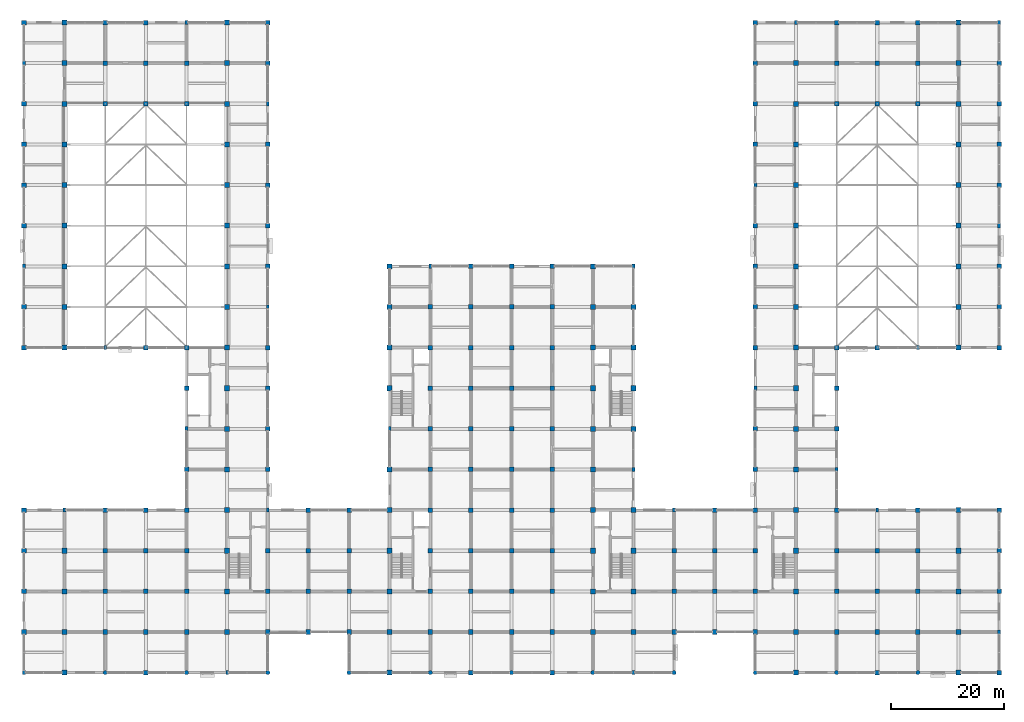
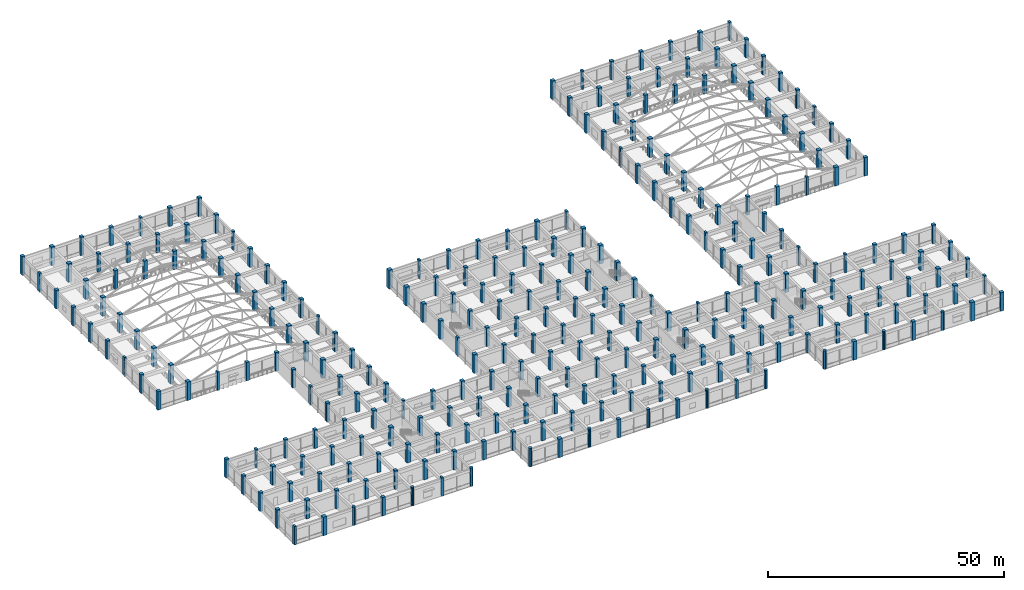
# One storey, part 1 of 75: 279 columns.
"""IFC4 building model written with IfcOpenShell, lengths in metres."""

from ifc_helpers import new_model, si_unit, direction, frame, origin, origin_2d, place, context, subcontext, project, spatial, rectangle, circle, extrude, material, material_profile, profile_set, type_object, element, save


model = new_model("IFC4")

# Units and contexts
model_context = context("Model", 3, precision=1e-05, world=origin(), true_north=direction((0.0, 1.0)))
body_context = subcontext(model_context, "Body", "Model", "MODEL_VIEW")
ifc_project = project(units=[si_unit("LENGTHUNIT", "METRE"), si_unit("AREAUNIT", "SQUARE_METRE"), si_unit("VOLUMEUNIT", "CUBIC_METRE"), si_unit("PLANEANGLEUNIT", "RADIAN"), si_unit("MASSUNIT", "GRAM", prefix="KILO")], contexts=[model_context])

# Site, building, storey
site_placement = place(None, origin())
site = spatial("IfcSite", under=ifc_project, at=site_placement, CompositionType="ELEMENT")
building_placement = place(site_placement, origin())
building = spatial("IfcBuilding", under=site, at=building_placement, Name="Cendaluz Park School", CompositionType="ELEMENT")
storey_placement = place(building_placement, frame((0.0, 0.0, 4.800048828125)))
storey = spatial("IfcBuildingStorey", under=building, at=storey_placement, Name="L01", CompositionType="ELEMENT", Elevation=4.800048828125)

# Columns
ifc_material = material(Name="Concrete C40/50", Category="concrete")
ifc_material_profile_1 = material_profile(ifc_material, rectangle(XDim=0.5, YDim=0.75, at=origin_2d()), Name="RC 500x750", Category="concrete")
ifc_profile_set_1 = profile_set([ifc_material_profile_1], Name="Concrete C40/50")
column_type_1 = type_object("IfcColumnType", Name="C-PL01", PredefinedType="PILASTER", material=ifc_profile_set_1)
for number, where, z_axis, x_axis, name in (
    (1, (0.0, 0.0, 0.0), (0.0, 0.0, 1.0), (1.0, 0.0, 0.0), "C-L01-CPL01-001"),
    (2, (0.0, 72.0, 0.0), (0.0, 0.0, 1.0), (1.0, 0.0, 0.0), "C-L01-CPL01-008"),
    (3, (0.0, 108.0, 0.0), (0.0, 0.0, 1.0), (1.0, 0.0, 0.0), "C-L01-CPL01-013"),
    (4, (7.199951171875, 28.800048828125, 0.0), (0.0, 0.0, 1.0), (1.0, 0.0, 0.0), "C-L01-CPL01-019"),
    (5, (14.39990234375, 57.60009765625, 0.0), (0.0, 0.0, 1.0), (1.0, 0.0, 0.0), "C-L01-CPL01-034"),
    (6, (28.800048828125, 43.199951171875, 0.0), (0.0, 0.0, 1.0), (1.0, 0.0, 0.0), "C-L01-CPL01-053"),
    (7, (28.800048828125, 115.199951171875, 0.0), (0.0, 0.0, 1.0), (1.0, 0.0, 0.0), "C-L01-CPL01-058"),
    (8, (36.0, 0.0, 0.0), (0.0, 0.0, 1.0), (1.0, 0.0, 0.0), "C-L01-CPL01-059"),
    (9, (43.199951171875, 28.800048828125, 0.0), (0.0, 0.0, 1.0), (1.0, 0.0, 0.0), "C-L01-CPL01-080"),
    (10, (43.199951171875, 64.800048828125, 0.0), (0.0, 0.0, 1.0), (1.0, 0.0, 0.0), "C-L01-CPL01-085"),
    (11, (43.199951171875, 100.800048828125, 0.0), (0.0, 0.0, 1.0), (1.0, 0.0, 0.0), "C-L01-CPL01-090"),
    (12, (64.800048828125, 43.199951171875, 0.0), (0.0, 0.0, 1.0), (1.0, 0.0, 0.0), "C-L01-CPL01-108"),
    (13, (72.0, 72.0, 0.0), (0.0, 0.0, 1.0), (1.0, 0.0, 0.0), "C-L01-CPL01-123"),
    (14, (108.0, 0.0, 0.0), (0.0, 0.0, 1.0), (1.0, 0.0, 0.0), "C-L01-CPL01-168"),
    (15, (108.0, 36.0, 0.0), (0.0, 0.0, 1.0), (1.0, 0.0, 0.0), "C-L01-CPL01-173"),
    (16, (108.0, 72.0, 0.0), (0.0, 0.0, 1.0), (1.0, 0.0, 0.0), "C-L01-CPL01-178"),
    (17, (115.199951171875, 28.800048828125, 0.0), (0.0, 0.0, 1.0), (1.0, 0.0, 0.0), "C-L01-CPL01-183"),
    (18, (129.60009765625, 50.39990234375, 0.0), (0.0, 0.0, 1.0), (1.0, 0.0, 0.0), "C-L01-CPL01-195"),
    (19, (129.60009765625, 86.39990234375, 0.0), (0.0, 0.0, 1.0), (1.0, 0.0, 0.0), "C-L01-CPL01-200"),
    (20, (136.800048828125, 115.199951171875, 0.0), (0.0, 0.0, 1.0), (1.0, 0.0, 0.0), "C-L01-CPL01-221"),
    (21, (144.0, 36.0, 0.0), (0.0, 0.0, 1.0), (1.0, 0.0, 0.0), "C-L01-CPL01-227"),
    (22, (151.199951171875, 28.800048828125, 0.0), (0.0, 0.0, 1.0), (1.0, 0.0, 0.0), "C-L01-CPL01-238"),
    (23, (158.39990234375, 57.60009765625, 0.0), (0.0, 0.0, 1.0), (1.0, 0.0, 0.0), "C-L01-CPL01-248"),
    (24, (172.800048828125, 7.199951171875, 0.0), (0.0, 0.0, 1.0), (1.0, 0.0, 0.0), "C-L01-CPL01-267"),
    (25, (172.800048828125, 79.199951171875, 0.0), (0.0, 0.0, 1.0), (1.0, 0.0, 0.0), "C-L01-CPL01-274"),
    (26, (172.800048828125, 115.199951171875, 0.0), (0.0, 0.0, 1.0), (1.0, 0.0, 0.0), "C-L01-CPL01-279"),
):
    element("IfcColumn", number, at=place(storey_placement, frame(where, z_axis=z_axis, x_axis=x_axis)), inside=storey, type_object=column_type_1, Name=name, PredefinedType="PILASTER", context=body_context, shape_type="SweptSolid", body=[
        extrude(rectangle(XDim=0.5, YDim=0.75, at=origin_2d()), origin(), (0.0, 0.0, 1.0), 4.800048828125),
    ])
ifc_material_profile_2 = material_profile(ifc_material, rectangle(XDim=0.89990234375, YDim=0.89990234375, at=origin_2d()), Name="RC 900x900", Category="concrete")
ifc_profile_set_2 = profile_set([ifc_material_profile_2], Name="Concrete C40/50")
column_type_2 = type_object("IfcColumnType", Name="C-RC01", PredefinedType="COLUMN", material=ifc_profile_set_2)
for number, where, z_axis, x_axis, name in (
    (27, (7.199951171875, 0.0, 0.0), (0.0, 0.0, 1.0), (1.0, 0.0, 0.0), "C-L01-CRC01-015"),
    (28, (7.199951171875, 7.199951171875, 0.0), (0.0, 0.0, 1.0), (1.0, 0.0, 0.0), "C-L01-CRC01-016"),
    (29, (7.199951171875, 14.39990234375, 0.0), (0.0, 0.0, 1.0), (1.0, 0.0, 0.0), "C-L01-CRC01-017"),
    (30, (7.199951171875, 21.60009765625, 0.0), (0.0, 0.0, 1.0), (1.0, 0.0, 0.0), "C-L01-CRC01-018"),
    (31, (7.199951171875, 57.60009765625, 0.0), (0.0, 0.0, 1.0), (1.0, 0.0, 0.0), "C-L01-CRC01-020"),
    (32, (7.199951171875, 64.800048828125, 0.0), (0.0, 0.0, 1.0), (1.0, 0.0, 0.0), "C-L01-CRC01-021"),
    (33, (7.199951171875, 72.0, 0.0), (0.0, 0.0, 1.0), (1.0, 0.0, 0.0), "C-L01-CRC01-022"),
    (34, (7.199951171875, 79.199951171875, 0.0), (0.0, 0.0, 1.0), (1.0, 0.0, 0.0), "C-L01-CRC01-023"),
    (35, (7.199951171875, 86.39990234375, 0.0), (0.0, 0.0, 1.0), (1.0, 0.0, 0.0), "C-L01-CRC01-024"),
    (36, (7.199951171875, 93.60009765625, 0.0), (0.0, 0.0, 1.0), (1.0, 0.0, 0.0), "C-L01-CRC01-025"),
    (37, (7.199951171875, 100.800048828125, 0.0), (0.0, 0.0, 1.0), (1.0, 0.0, 0.0), "C-L01-CRC01-026"),
    (38, (7.199951171875, 108.0, 0.0), (0.0, 0.0, 1.0), (1.0, 0.0, 0.0), "C-L01-CRC01-027"),
    (39, (7.199951171875, 115.199951171875, 0.0), (0.0, 0.0, 1.0), (1.0, 0.0, 0.0), "C-L01-CRC01-028"),
    (40, (36.0, 7.199951171875, 0.0), (0.0, 0.0, 1.0), (1.0, 0.0, 0.0), "C-L01-CRC01-060"),
    (41, (36.0, 14.39990234375, 0.0), (0.0, 0.0, 1.0), (1.0, 0.0, 0.0), "C-L01-CRC01-061"),
    (42, (36.0, 21.60009765625, 0.0), (0.0, 0.0, 1.0), (1.0, 0.0, 0.0), "C-L01-CRC01-062"),
    (43, (36.0, 28.800048828125, 0.0), (0.0, 0.0, 1.0), (1.0, 0.0, 0.0), "C-L01-CRC01-063"),
    (44, (36.0, 36.0, 0.0), (0.0, 0.0, 1.0), (1.0, 0.0, 0.0), "C-L01-CRC01-064"),
    (45, (36.0, 43.199951171875, 0.0), (0.0, 0.0, 1.0), (1.0, 0.0, 0.0), "C-L01-CRC01-065"),
    (46, (36.0, 50.39990234375, 0.0), (0.0, 0.0, 1.0), (1.0, 0.0, 0.0), "C-L01-CRC01-066"),
    (47, (36.0, 57.60009765625, 0.0), (0.0, 0.0, 1.0), (1.0, 0.0, 0.0), "C-L01-CRC01-067"),
    (48, (36.0, 64.800048828125, 0.0), (0.0, 0.0, 1.0), (1.0, 0.0, 0.0), "C-L01-CRC01-068"),
    (49, (36.0, 72.0, 0.0), (0.0, 0.0, 1.0), (1.0, 0.0, 0.0), "C-L01-CRC01-069"),
    (50, (36.0, 79.199951171875, 0.0), (0.0, 0.0, 1.0), (1.0, 0.0, 0.0), "C-L01-CRC01-070"),
    (51, (36.0, 86.39990234375, 0.0), (0.0, 0.0, 1.0), (1.0, 0.0, 0.0), "C-L01-CRC01-071"),
    (52, (36.0, 93.60009765625, 0.0), (0.0, 0.0, 1.0), (1.0, 0.0, 0.0), "C-L01-CRC01-072"),
    (53, (36.0, 100.800048828125, 0.0), (0.0, 0.0, 1.0), (1.0, 0.0, 0.0), "C-L01-CRC01-073"),
    (54, (36.0, 108.0, 0.0), (0.0, 0.0, 1.0), (1.0, 0.0, 0.0), "C-L01-CRC01-074"),
    (55, (36.0, 115.199951171875, 0.0), (0.0, 0.0, 1.0), (1.0, 0.0, 0.0), "C-L01-CRC01-075"),
    (56, (64.800048828125, 0.0, 0.0), (0.0, 0.0, 1.0), (1.0, 0.0, 0.0), "C-L01-CRC01-102"),
    (57, (64.800048828125, 7.199951171875, 0.0), (0.0, 0.0, 1.0), (1.0, 0.0, 0.0), "C-L01-CRC01-103"),
    (58, (64.800048828125, 14.39990234375, 0.0), (0.0, 0.0, 1.0), (1.0, 0.0, 0.0), "C-L01-CRC01-104"),
    (59, (64.800048828125, 21.60009765625, 0.0), (0.0, 0.0, 1.0), (1.0, 0.0, 0.0), "C-L01-CRC01-105"),
    (60, (64.800048828125, 28.800048828125, 0.0), (0.0, 0.0, 1.0), (1.0, 0.0, 0.0), "C-L01-CRC01-106"),
    (61, (64.800048828125, 36.0, 0.0), (0.0, 0.0, 1.0), (1.0, 0.0, 0.0), "C-L01-CRC01-107"),
    (62, (64.800048828125, 50.39990234375, 0.0), (0.0, 0.0, 1.0), (1.0, 0.0, 0.0), "C-L01-CRC01-109"),
    (63, (64.800048828125, 57.60009765625, 0.0), (0.0, 0.0, 1.0), (1.0, 0.0, 0.0), "C-L01-CRC01-110"),
    (64, (64.800048828125, 64.800048828125, 0.0), (0.0, 0.0, 1.0), (1.0, 0.0, 0.0), "C-L01-CRC01-111"),
    (65, (64.800048828125, 72.0, 0.0), (0.0, 0.0, 1.0), (1.0, 0.0, 0.0), "C-L01-CRC01-112"),
    (66, (100.800048828125, 7.199951171875, 0.0), (0.0, 0.0, 1.0), (1.0, 0.0, 0.0), "C-L01-CRC01-158"),
    (67, (100.800048828125, 14.39990234375, 0.0), (0.0, 0.0, 1.0), (1.0, 0.0, 0.0), "C-L01-CRC01-159"),
    (68, (100.800048828125, 21.60009765625, 0.0), (0.0, 0.0, 1.0), (1.0, 0.0, 0.0), "C-L01-CRC01-160"),
    (69, (100.800048828125, 28.800048828125, 0.0), (0.0, 0.0, 1.0), (1.0, 0.0, 0.0), "C-L01-CRC01-161"),
    (70, (100.800048828125, 36.0, 0.0), (0.0, 0.0, 1.0), (1.0, 0.0, 0.0), "C-L01-CRC01-162"),
    (71, (100.800048828125, 43.199951171875, 0.0), (0.0, 0.0, 1.0), (1.0, 0.0, 0.0), "C-L01-CRC01-163"),
    (72, (100.800048828125, 50.39990234375, 0.0), (0.0, 0.0, 1.0), (1.0, 0.0, 0.0), "C-L01-CRC01-164"),
    (73, (100.800048828125, 57.60009765625, 0.0), (0.0, 0.0, 1.0), (1.0, 0.0, 0.0), "C-L01-CRC01-165"),
    (74, (100.800048828125, 64.800048828125, 0.0), (0.0, 0.0, 1.0), (1.0, 0.0, 0.0), "C-L01-CRC01-166"),
    (75, (100.800048828125, 72.0, 0.0), (0.0, 0.0, 1.0), (1.0, 0.0, 0.0), "C-L01-CRC01-167"),
    (76, (108.0, 7.199951171875, 0.0), (0.0, 0.0, 1.0), (1.0, 0.0, 0.0), "C-L01-CRC01-169"),
    (77, (108.0, 14.39990234375, 0.0), (0.0, 0.0, 1.0), (1.0, 0.0, 0.0), "C-L01-CRC01-170"),
    (78, (108.0, 21.60009765625, 0.0), (0.0, 0.0, 1.0), (1.0, 0.0, 0.0), "C-L01-CRC01-171"),
    (79, (108.0, 28.800048828125, 0.0), (0.0, 0.0, 1.0), (1.0, 0.0, 0.0), "C-L01-CRC01-172"),
    (80, (108.0, 43.199951171875, 0.0), (0.0, 0.0, 1.0), (1.0, 0.0, 0.0), "C-L01-CRC01-174"),
    (81, (108.0, 50.39990234375, 0.0), (0.0, 0.0, 1.0), (1.0, 0.0, 0.0), "C-L01-CRC01-175"),
    (82, (108.0, 57.60009765625, 0.0), (0.0, 0.0, 1.0), (1.0, 0.0, 0.0), "C-L01-CRC01-176"),
    (83, (108.0, 64.800048828125, 0.0), (0.0, 0.0, 1.0), (1.0, 0.0, 0.0), "C-L01-CRC01-177"),
    (84, (136.800048828125, 0.0, 0.0), (0.0, 0.0, 1.0), (1.0, 0.0, 0.0), "C-L01-CRC01-205"),
    (85, (136.800048828125, 7.199951171875, 0.0), (0.0, 0.0, 1.0), (1.0, 0.0, 0.0), "C-L01-CRC01-206"),
    (86, (136.800048828125, 14.39990234375, 0.0), (0.0, 0.0, 1.0), (1.0, 0.0, 0.0), "C-L01-CRC01-207"),
    (87, (136.800048828125, 21.60009765625, 0.0), (0.0, 0.0, 1.0), (1.0, 0.0, 0.0), "C-L01-CRC01-208"),
    (88, (136.800048828125, 28.800048828125, 0.0), (0.0, 0.0, 1.0), (1.0, 0.0, 0.0), "C-L01-CRC01-209"),
    (89, (136.800048828125, 36.0, 0.0), (0.0, 0.0, 1.0), (1.0, 0.0, 0.0), "C-L01-CRC01-210"),
    (90, (136.800048828125, 43.199951171875, 0.0), (0.0, 0.0, 1.0), (1.0, 0.0, 0.0), "C-L01-CRC01-211"),
    (91, (136.800048828125, 50.39990234375, 0.0), (0.0, 0.0, 1.0), (1.0, 0.0, 0.0), "C-L01-CRC01-212"),
    (92, (136.800048828125, 57.60009765625, 0.0), (0.0, 0.0, 1.0), (1.0, 0.0, 0.0), "C-L01-CRC01-213"),
    (93, (136.800048828125, 64.800048828125, 0.0), (0.0, 0.0, 1.0), (1.0, 0.0, 0.0), "C-L01-CRC01-214"),
    (94, (136.800048828125, 72.0, 0.0), (0.0, 0.0, 1.0), (1.0, 0.0, 0.0), "C-L01-CRC01-215"),
    (95, (136.800048828125, 79.199951171875, 0.0), (0.0, 0.0, 1.0), (1.0, 0.0, 0.0), "C-L01-CRC01-216"),
    (96, (136.800048828125, 86.39990234375, 0.0), (0.0, 0.0, 1.0), (1.0, 0.0, 0.0), "C-L01-CRC01-217"),
    (97, (136.800048828125, 93.60009765625, 0.0), (0.0, 0.0, 1.0), (1.0, 0.0, 0.0), "C-L01-CRC01-218"),
    (98, (136.800048828125, 100.800048828125, 0.0), (0.0, 0.0, 1.0), (1.0, 0.0, 0.0), "C-L01-CRC01-219"),
    (99, (136.800048828125, 108.0, 0.0), (0.0, 0.0, 1.0), (1.0, 0.0, 0.0), "C-L01-CRC01-220"),
    (100, (165.60009765625, 0.0, 0.0), (0.0, 0.0, 1.0), (1.0, 0.0, 0.0), "C-L01-CRC01-252"),
    (101, (165.60009765625, 7.199951171875, 0.0), (0.0, 0.0, 1.0), (1.0, 0.0, 0.0), "C-L01-CRC01-253"),
    (102, (165.60009765625, 14.39990234375, 0.0), (0.0, 0.0, 1.0), (1.0, 0.0, 0.0), "C-L01-CRC01-254"),
    (103, (165.60009765625, 21.60009765625, 0.0), (0.0, 0.0, 1.0), (1.0, 0.0, 0.0), "C-L01-CRC01-255"),
    (104, (165.60009765625, 28.800048828125, 0.0), (0.0, 0.0, 1.0), (1.0, 0.0, 0.0), "C-L01-CRC01-256"),
    (105, (165.60009765625, 57.60009765625, 0.0), (0.0, 0.0, 1.0), (1.0, 0.0, 0.0), "C-L01-CRC01-257"),
    (106, (165.60009765625, 64.800048828125, 0.0), (0.0, 0.0, 1.0), (1.0, 0.0, 0.0), "C-L01-CRC01-258"),
    (107, (165.60009765625, 72.0, 0.0), (0.0, 0.0, 1.0), (1.0, 0.0, 0.0), "C-L01-CRC01-259"),
    (108, (165.60009765625, 79.199951171875, 0.0), (0.0, 0.0, 1.0), (1.0, 0.0, 0.0), "C-L01-CRC01-260"),
    (109, (165.60009765625, 86.39990234375, 0.0), (0.0, 0.0, 1.0), (1.0, 0.0, 0.0), "C-L01-CRC01-261"),
    (110, (165.60009765625, 93.60009765625, 0.0), (0.0, 0.0, 1.0), (1.0, 0.0, 0.0), "C-L01-CRC01-262"),
    (111, (165.60009765625, 100.800048828125, 0.0), (0.0, 0.0, 1.0), (1.0, 0.0, 0.0), "C-L01-CRC01-263"),
    (112, (165.60009765625, 108.0, 0.0), (0.0, 0.0, 1.0), (1.0, 0.0, 0.0), "C-L01-CRC01-264"),
    (113, (165.60009765625, 115.199951171875, 0.0), (0.0, 0.0, 1.0), (1.0, 0.0, 0.0), "C-L01-CRC01-265"),
):
    element("IfcColumn", number, at=place(storey_placement, frame(where, z_axis=z_axis, x_axis=x_axis)), inside=storey, type_object=column_type_2, Name=name, PredefinedType="COLUMN", context=body_context, shape_type="SweptSolid", body=[
        extrude(rectangle(XDim=0.89990234375, YDim=0.89990234375, at=origin_2d()), origin(), (0.0, 0.0, 1.0), 4.800048828125),
    ])
ifc_material_profile_3 = material_profile(ifc_material, rectangle(XDim=0.800048828125, YDim=0.800048828125, at=origin_2d()), Name="RC 800x800", Category="concrete")
ifc_profile_set_3 = profile_set([ifc_material_profile_3], Name="Concrete C40/50")
column_type_3 = type_object("IfcColumnType", Name="C-RC02", PredefinedType="COLUMN", material=ifc_profile_set_3)
for number, where, z_axis, x_axis, name in (
    (114, (0.0, 7.199951171875, 0.0), (0.0, 0.0, 1.0), (1.0, 0.0, 0.0), "C-L01-CRC02-002"),
    (115, (0.0, 14.39990234375, 0.0), (0.0, 0.0, 1.0), (1.0, 0.0, 0.0), "C-L01-CRC02-003"),
    (116, (0.0, 21.60009765625, 0.0), (0.0, 0.0, 1.0), (1.0, 0.0, 0.0), "C-L01-CRC02-004"),
    (117, (0.0, 28.800048828125, 0.0), (0.0, 0.0, 1.0), (1.0, 0.0, 0.0), "C-L01-CRC02-005"),
    (118, (0.0, 57.60009765625, 0.0), (0.0, 0.0, 1.0), (1.0, 0.0, 0.0), "C-L01-CRC02-006"),
    (119, (0.0, 64.800048828125, 0.0), (0.0, 0.0, 1.0), (1.0, 0.0, 0.0), "C-L01-CRC02-007"),
    (120, (0.0, 79.199951171875, 0.0), (0.0, 0.0, 1.0), (1.0, 0.0, 0.0), "C-L01-CRC02-009"),
    (121, (0.0, 86.39990234375, 0.0), (0.0, 0.0, 1.0), (1.0, 0.0, 0.0), "C-L01-CRC02-010"),
    (122, (0.0, 93.60009765625, 0.0), (0.0, 0.0, 1.0), (1.0, 0.0, 0.0), "C-L01-CRC02-011"),
    (123, (0.0, 100.800048828125, 0.0), (0.0, 0.0, 1.0), (1.0, 0.0, 0.0), "C-L01-CRC02-012"),
    (124, (0.0, 115.199951171875, 0.0), (0.0, 0.0, 1.0), (1.0, 0.0, 0.0), "C-L01-CRC02-014"),
    (125, (14.39990234375, 7.199951171875, 0.0), (0.0, 0.0, 1.0), (1.0, 0.0, 0.0), "C-L01-CRC02-030"),
    (126, (14.39990234375, 14.39990234375, 0.0), (0.0, 0.0, 1.0), (1.0, 0.0, 0.0), "C-L01-CRC02-031"),
    (127, (14.39990234375, 21.60009765625, 0.0), (0.0, 0.0, 1.0), (1.0, 0.0, 0.0), "C-L01-CRC02-032"),
    (128, (14.39990234375, 28.800048828125, 0.0), (0.0, 0.0, 1.0), (1.0, 0.0, 0.0), "C-L01-CRC02-033"),
    (129, (14.39990234375, 100.800048828125, 0.0), (0.0, 0.0, 1.0), (1.0, 0.0, 0.0), "C-L01-CRC02-035"),
    (130, (14.39990234375, 108.0, 0.0), (0.0, 0.0, 1.0), (1.0, 0.0, 0.0), "C-L01-CRC02-036"),
    (131, (14.39990234375, 115.199951171875, 0.0), (0.0, 0.0, 1.0), (1.0, 0.0, 0.0), "C-L01-CRC02-037"),
    (132, (21.60009765625, 0.0, 0.0), (0.0, 0.0, 1.0), (1.0, 0.0, 0.0), "C-L01-CRC02-038"),
    (133, (21.60009765625, 7.199951171875, 0.0), (0.0, 0.0, 1.0), (1.0, 0.0, 0.0), "C-L01-CRC02-039"),
    (134, (21.60009765625, 14.39990234375, 0.0), (0.0, 0.0, 1.0), (1.0, 0.0, 0.0), "C-L01-CRC02-040"),
    (135, (21.60009765625, 21.60009765625, 0.0), (0.0, 0.0, 1.0), (1.0, 0.0, 0.0), "C-L01-CRC02-041"),
    (136, (21.60009765625, 28.800048828125, 0.0), (0.0, 0.0, 1.0), (1.0, 0.0, 0.0), "C-L01-CRC02-042"),
    (137, (21.60009765625, 57.60009765625, 0.0), (0.0, 0.0, 1.0), (1.0, 0.0, 0.0), "C-L01-CRC02-043"),
    (138, (21.60009765625, 100.800048828125, 0.0), (0.0, 0.0, 1.0), (1.0, 0.0, 0.0), "C-L01-CRC02-044"),
    (139, (21.60009765625, 108.0, 0.0), (0.0, 0.0, 1.0), (1.0, 0.0, 0.0), "C-L01-CRC02-045"),
    (140, (21.60009765625, 115.199951171875, 0.0), (0.0, 0.0, 1.0), (1.0, 0.0, 0.0), "C-L01-CRC02-046"),
    (141, (28.800048828125, 7.199951171875, 0.0), (0.0, 0.0, 1.0), (1.0, 0.0, 0.0), "C-L01-CRC02-048"),
    (142, (28.800048828125, 14.39990234375, 0.0), (0.0, 0.0, 1.0), (1.0, 0.0, 0.0), "C-L01-CRC02-049"),
    (143, (28.800048828125, 21.60009765625, 0.0), (0.0, 0.0, 1.0), (1.0, 0.0, 0.0), "C-L01-CRC02-050"),
    (144, (28.800048828125, 28.800048828125, 0.0), (0.0, 0.0, 1.0), (1.0, 0.0, 0.0), "C-L01-CRC02-051"),
    (145, (28.800048828125, 36.0, 0.0), (0.0, 0.0, 1.0), (1.0, 0.0, 0.0), "C-L01-CRC02-052"),
    (146, (28.800048828125, 50.39990234375, 0.0), (0.0, 0.0, 1.0), (1.0, 0.0, 0.0), "C-L01-CRC02-054"),
    (147, (28.800048828125, 57.60009765625, 0.0), (0.0, 0.0, 1.0), (1.0, 0.0, 0.0), "C-L01-CRC02-055"),
    (148, (28.800048828125, 100.800048828125, 0.0), (0.0, 0.0, 1.0), (1.0, 0.0, 0.0), "C-L01-CRC02-056"),
    (149, (28.800048828125, 108.0, 0.0), (0.0, 0.0, 1.0), (1.0, 0.0, 0.0), "C-L01-CRC02-057"),
    (150, (43.199951171875, 7.199951171875, 0.0), (0.0, 0.0, 1.0), (1.0, 0.0, 0.0), "C-L01-CRC02-077"),
    (151, (43.199951171875, 14.39990234375, 0.0), (0.0, 0.0, 1.0), (1.0, 0.0, 0.0), "C-L01-CRC02-078"),
    (152, (43.199951171875, 21.60009765625, 0.0), (0.0, 0.0, 1.0), (1.0, 0.0, 0.0), "C-L01-CRC02-079"),
    (153, (43.199951171875, 36.0, 0.0), (0.0, 0.0, 1.0), (1.0, 0.0, 0.0), "C-L01-CRC02-081"),
    (154, (43.199951171875, 43.199951171875, 0.0), (0.0, 0.0, 1.0), (1.0, 0.0, 0.0), "C-L01-CRC02-082"),
    (155, (43.199951171875, 50.39990234375, 0.0), (0.0, 0.0, 1.0), (1.0, 0.0, 0.0), "C-L01-CRC02-083"),
    (156, (43.199951171875, 57.60009765625, 0.0), (0.0, 0.0, 1.0), (1.0, 0.0, 0.0), "C-L01-CRC02-084"),
    (157, (43.199951171875, 72.0, 0.0), (0.0, 0.0, 1.0), (1.0, 0.0, 0.0), "C-L01-CRC02-086"),
    (158, (43.199951171875, 79.199951171875, 0.0), (0.0, 0.0, 1.0), (1.0, 0.0, 0.0), "C-L01-CRC02-087"),
    (159, (43.199951171875, 86.39990234375, 0.0), (0.0, 0.0, 1.0), (1.0, 0.0, 0.0), "C-L01-CRC02-088"),
    (160, (43.199951171875, 93.60009765625, 0.0), (0.0, 0.0, 1.0), (1.0, 0.0, 0.0), "C-L01-CRC02-089"),
    (161, (43.199951171875, 108.0, 0.0), (0.0, 0.0, 1.0), (1.0, 0.0, 0.0), "C-L01-CRC02-091"),
    (162, (43.199951171875, 115.199951171875, 0.0), (0.0, 0.0, 1.0), (1.0, 0.0, 0.0), "C-L01-CRC02-092"),
    (163, (50.39990234375, 7.199951171875, 0.0), (0.0, 0.0, 1.0), (1.0, 0.0, 0.0), "C-L01-CRC02-093"),
    (164, (50.39990234375, 14.39990234375, 0.0), (0.0, 0.0, 1.0), (1.0, 0.0, 0.0), "C-L01-CRC02-094"),
    (165, (50.39990234375, 21.60009765625, 0.0), (0.0, 0.0, 1.0), (1.0, 0.0, 0.0), "C-L01-CRC02-095"),
    (166, (50.39990234375, 28.800048828125, 0.0), (0.0, 0.0, 1.0), (1.0, 0.0, 0.0), "C-L01-CRC02-096"),
    (167, (57.60009765625, 7.199951171875, 0.0), (0.0, 0.0, 1.0), (1.0, 0.0, 0.0), "C-L01-CRC02-098"),
    (168, (57.60009765625, 14.39990234375, 0.0), (0.0, 0.0, 1.0), (1.0, 0.0, 0.0), "C-L01-CRC02-099"),
    (169, (57.60009765625, 21.60009765625, 0.0), (0.0, 0.0, 1.0), (1.0, 0.0, 0.0), "C-L01-CRC02-100"),
    (170, (57.60009765625, 28.800048828125, 0.0), (0.0, 0.0, 1.0), (1.0, 0.0, 0.0), "C-L01-CRC02-101"),
    (171, (72.0, 7.199951171875, 0.0), (0.0, 0.0, 1.0), (1.0, 0.0, 0.0), "C-L01-CRC02-114"),
    (172, (72.0, 14.39990234375, 0.0), (0.0, 0.0, 1.0), (1.0, 0.0, 0.0), "C-L01-CRC02-115"),
    (173, (72.0, 21.60009765625, 0.0), (0.0, 0.0, 1.0), (1.0, 0.0, 0.0), "C-L01-CRC02-116"),
    (174, (72.0, 28.800048828125, 0.0), (0.0, 0.0, 1.0), (1.0, 0.0, 0.0), "C-L01-CRC02-117"),
    (175, (72.0, 36.0, 0.0), (0.0, 0.0, 1.0), (1.0, 0.0, 0.0), "C-L01-CRC02-118"),
    (176, (72.0, 43.199951171875, 0.0), (0.0, 0.0, 1.0), (1.0, 0.0, 0.0), "C-L01-CRC02-119"),
    (177, (72.0, 50.39990234375, 0.0), (0.0, 0.0, 1.0), (1.0, 0.0, 0.0), "C-L01-CRC02-120"),
    (178, (72.0, 57.60009765625, 0.0), (0.0, 0.0, 1.0), (1.0, 0.0, 0.0), "C-L01-CRC02-121"),
    (179, (72.0, 64.800048828125, 0.0), (0.0, 0.0, 1.0), (1.0, 0.0, 0.0), "C-L01-CRC02-122"),
    (180, (79.199951171875, 0.0, 0.0), (0.0, 0.0, 1.0), (1.0, 0.0, 0.0), "C-L01-CRC02-124"),
    (181, (79.199951171875, 7.199951171875, 0.0), (0.0, 0.0, 1.0), (1.0, 0.0, 0.0), "C-L01-CRC02-125"),
    (182, (79.199951171875, 14.39990234375, 0.0), (0.0, 0.0, 1.0), (1.0, 0.0, 0.0), "C-L01-CRC02-126"),
    (183, (79.199951171875, 21.60009765625, 0.0), (0.0, 0.0, 1.0), (1.0, 0.0, 0.0), "C-L01-CRC02-127"),
    (184, (79.199951171875, 28.800048828125, 0.0), (0.0, 0.0, 1.0), (1.0, 0.0, 0.0), "C-L01-CRC02-128"),
    (185, (79.199951171875, 36.0, 0.0), (0.0, 0.0, 1.0), (1.0, 0.0, 0.0), "C-L01-CRC02-129"),
    (186, (79.199951171875, 43.199951171875, 0.0), (0.0, 0.0, 1.0), (1.0, 0.0, 0.0), "C-L01-CRC02-130"),
    (187, (79.199951171875, 50.39990234375, 0.0), (0.0, 0.0, 1.0), (1.0, 0.0, 0.0), "C-L01-CRC02-131"),
    (188, (79.199951171875, 57.60009765625, 0.0), (0.0, 0.0, 1.0), (1.0, 0.0, 0.0), "C-L01-CRC02-132"),
    (189, (79.199951171875, 64.800048828125, 0.0), (0.0, 0.0, 1.0), (1.0, 0.0, 0.0), "C-L01-CRC02-133"),
    (190, (79.199951171875, 72.0, 0.0), (0.0, 0.0, 1.0), (1.0, 0.0, 0.0), "C-L01-CRC02-134"),
    (191, (86.39990234375, 7.199951171875, 0.0), (0.0, 0.0, 1.0), (1.0, 0.0, 0.0), "C-L01-CRC02-136"),
    (192, (86.39990234375, 14.39990234375, 0.0), (0.0, 0.0, 1.0), (1.0, 0.0, 0.0), "C-L01-CRC02-137"),
    (193, (86.39990234375, 21.60009765625, 0.0), (0.0, 0.0, 1.0), (1.0, 0.0, 0.0), "C-L01-CRC02-138"),
    (194, (86.39990234375, 28.800048828125, 0.0), (0.0, 0.0, 1.0), (1.0, 0.0, 0.0), "C-L01-CRC02-139"),
    (195, (86.39990234375, 36.0, 0.0), (0.0, 0.0, 1.0), (1.0, 0.0, 0.0), "C-L01-CRC02-140"),
    (196, (86.39990234375, 43.199951171875, 0.0), (0.0, 0.0, 1.0), (1.0, 0.0, 0.0), "C-L01-CRC02-141"),
    (197, (86.39990234375, 50.39990234375, 0.0), (0.0, 0.0, 1.0), (1.0, 0.0, 0.0), "C-L01-CRC02-142"),
    (198, (86.39990234375, 57.60009765625, 0.0), (0.0, 0.0, 1.0), (1.0, 0.0, 0.0), "C-L01-CRC02-143"),
    (199, (86.39990234375, 64.800048828125, 0.0), (0.0, 0.0, 1.0), (1.0, 0.0, 0.0), "C-L01-CRC02-144"),
    (200, (86.39990234375, 72.0, 0.0), (0.0, 0.0, 1.0), (1.0, 0.0, 0.0), "C-L01-CRC02-145"),
    (201, (93.60009765625, 0.0, 0.0), (0.0, 0.0, 1.0), (1.0, 0.0, 0.0), "C-L01-CRC02-146"),
    (202, (93.60009765625, 7.199951171875, 0.0), (0.0, 0.0, 1.0), (1.0, 0.0, 0.0), "C-L01-CRC02-147"),
    (203, (93.60009765625, 14.39990234375, 0.0), (0.0, 0.0, 1.0), (1.0, 0.0, 0.0), "C-L01-CRC02-148"),
    (204, (93.60009765625, 21.60009765625, 0.0), (0.0, 0.0, 1.0), (1.0, 0.0, 0.0), "C-L01-CRC02-149"),
    (205, (93.60009765625, 28.800048828125, 0.0), (0.0, 0.0, 1.0), (1.0, 0.0, 0.0), "C-L01-CRC02-150"),
    (206, (93.60009765625, 36.0, 0.0), (0.0, 0.0, 1.0), (1.0, 0.0, 0.0), "C-L01-CRC02-151"),
    (207, (93.60009765625, 43.199951171875, 0.0), (0.0, 0.0, 1.0), (1.0, 0.0, 0.0), "C-L01-CRC02-152"),
    (208, (93.60009765625, 50.39990234375, 0.0), (0.0, 0.0, 1.0), (1.0, 0.0, 0.0), "C-L01-CRC02-153"),
    (209, (93.60009765625, 57.60009765625, 0.0), (0.0, 0.0, 1.0), (1.0, 0.0, 0.0), "C-L01-CRC02-154"),
    (210, (93.60009765625, 64.800048828125, 0.0), (0.0, 0.0, 1.0), (1.0, 0.0, 0.0), "C-L01-CRC02-155"),
    (211, (93.60009765625, 72.0, 0.0), (0.0, 0.0, 1.0), (1.0, 0.0, 0.0), "C-L01-CRC02-156"),
    (212, (115.199951171875, 7.199951171875, 0.0), (0.0, 0.0, 1.0), (1.0, 0.0, 0.0), "C-L01-CRC02-180"),
    (213, (115.199951171875, 14.39990234375, 0.0), (0.0, 0.0, 1.0), (1.0, 0.0, 0.0), "C-L01-CRC02-181"),
    (214, (115.199951171875, 21.60009765625, 0.0), (0.0, 0.0, 1.0), (1.0, 0.0, 0.0), "C-L01-CRC02-182"),
    (215, (122.39990234375, 7.199951171875, 0.0), (0.0, 0.0, 1.0), (1.0, 0.0, 0.0), "C-L01-CRC02-184"),
    (216, (122.39990234375, 14.39990234375, 0.0), (0.0, 0.0, 1.0), (1.0, 0.0, 0.0), "C-L01-CRC02-185"),
    (217, (122.39990234375, 21.60009765625, 0.0), (0.0, 0.0, 1.0), (1.0, 0.0, 0.0), "C-L01-CRC02-186"),
    (218, (122.39990234375, 28.800048828125, 0.0), (0.0, 0.0, 1.0), (1.0, 0.0, 0.0), "C-L01-CRC02-187"),
    (219, (129.60009765625, 7.199951171875, 0.0), (0.0, 0.0, 1.0), (1.0, 0.0, 0.0), "C-L01-CRC02-189"),
    (220, (129.60009765625, 14.39990234375, 0.0), (0.0, 0.0, 1.0), (1.0, 0.0, 0.0), "C-L01-CRC02-190"),
    (221, (129.60009765625, 21.60009765625, 0.0), (0.0, 0.0, 1.0), (1.0, 0.0, 0.0), "C-L01-CRC02-191"),
    (222, (129.60009765625, 28.800048828125, 0.0), (0.0, 0.0, 1.0), (1.0, 0.0, 0.0), "C-L01-CRC02-192"),
    (223, (129.60009765625, 36.0, 0.0), (0.0, 0.0, 1.0), (1.0, 0.0, 0.0), "C-L01-CRC02-193"),
    (224, (129.60009765625, 43.199951171875, 0.0), (0.0, 0.0, 1.0), (1.0, 0.0, 0.0), "C-L01-CRC02-194"),
    (225, (129.60009765625, 57.60009765625, 0.0), (0.0, 0.0, 1.0), (1.0, 0.0, 0.0), "C-L01-CRC02-196"),
    (226, (129.60009765625, 64.800048828125, 0.0), (0.0, 0.0, 1.0), (1.0, 0.0, 0.0), "C-L01-CRC02-197"),
    (227, (129.60009765625, 72.0, 0.0), (0.0, 0.0, 1.0), (1.0, 0.0, 0.0), "C-L01-CRC02-198"),
    (228, (129.60009765625, 79.199951171875, 0.0), (0.0, 0.0, 1.0), (1.0, 0.0, 0.0), "C-L01-CRC02-199"),
    (229, (129.60009765625, 93.60009765625, 0.0), (0.0, 0.0, 1.0), (1.0, 0.0, 0.0), "C-L01-CRC02-201"),
    (230, (129.60009765625, 100.800048828125, 0.0), (0.0, 0.0, 1.0), (1.0, 0.0, 0.0), "C-L01-CRC02-202"),
    (231, (129.60009765625, 108.0, 0.0), (0.0, 0.0, 1.0), (1.0, 0.0, 0.0), "C-L01-CRC02-203"),
    (232, (129.60009765625, 115.199951171875, 0.0), (0.0, 0.0, 1.0), (1.0, 0.0, 0.0), "C-L01-CRC02-204"),
    (233, (144.0, 7.199951171875, 0.0), (0.0, 0.0, 1.0), (1.0, 0.0, 0.0), "C-L01-CRC02-223"),
    (234, (144.0, 14.39990234375, 0.0), (0.0, 0.0, 1.0), (1.0, 0.0, 0.0), "C-L01-CRC02-224"),
    (235, (144.0, 21.60009765625, 0.0), (0.0, 0.0, 1.0), (1.0, 0.0, 0.0), "C-L01-CRC02-225"),
    (236, (144.0, 28.800048828125, 0.0), (0.0, 0.0, 1.0), (1.0, 0.0, 0.0), "C-L01-CRC02-226"),
    (237, (144.0, 43.199951171875, 0.0), (0.0, 0.0, 1.0), (1.0, 0.0, 0.0), "C-L01-CRC02-228"),
    (238, (144.0, 50.39990234375, 0.0), (0.0, 0.0, 1.0), (1.0, 0.0, 0.0), "C-L01-CRC02-229"),
    (239, (144.0, 57.60009765625, 0.0), (0.0, 0.0, 1.0), (1.0, 0.0, 0.0), "C-L01-CRC02-230"),
    (240, (144.0, 100.800048828125, 0.0), (0.0, 0.0, 1.0), (1.0, 0.0, 0.0), "C-L01-CRC02-231"),
    (241, (144.0, 108.0, 0.0), (0.0, 0.0, 1.0), (1.0, 0.0, 0.0), "C-L01-CRC02-232"),
    (242, (144.0, 115.199951171875, 0.0), (0.0, 0.0, 1.0), (1.0, 0.0, 0.0), "C-L01-CRC02-233"),
    (243, (151.199951171875, 0.0, 0.0), (0.0, 0.0, 1.0), (1.0, 0.0, 0.0), "C-L01-CRC02-234"),
    (244, (151.199951171875, 7.199951171875, 0.0), (0.0, 0.0, 1.0), (1.0, 0.0, 0.0), "C-L01-CRC02-235"),
    (245, (151.199951171875, 14.39990234375, 0.0), (0.0, 0.0, 1.0), (1.0, 0.0, 0.0), "C-L01-CRC02-236"),
    (246, (151.199951171875, 21.60009765625, 0.0), (0.0, 0.0, 1.0), (1.0, 0.0, 0.0), "C-L01-CRC02-237"),
    (247, (151.199951171875, 57.60009765625, 0.0), (0.0, 0.0, 1.0), (1.0, 0.0, 0.0), "C-L01-CRC02-239"),
    (248, (151.199951171875, 100.800048828125, 0.0), (0.0, 0.0, 1.0), (1.0, 0.0, 0.0), "C-L01-CRC02-240"),
    (249, (151.199951171875, 108.0, 0.0), (0.0, 0.0, 1.0), (1.0, 0.0, 0.0), "C-L01-CRC02-241"),
    (250, (151.199951171875, 115.199951171875, 0.0), (0.0, 0.0, 1.0), (1.0, 0.0, 0.0), "C-L01-CRC02-242"),
    (251, (158.39990234375, 7.199951171875, 0.0), (0.0, 0.0, 1.0), (1.0, 0.0, 0.0), "C-L01-CRC02-244"),
    (252, (158.39990234375, 14.39990234375, 0.0), (0.0, 0.0, 1.0), (1.0, 0.0, 0.0), "C-L01-CRC02-245"),
    (253, (158.39990234375, 21.60009765625, 0.0), (0.0, 0.0, 1.0), (1.0, 0.0, 0.0), "C-L01-CRC02-246"),
    (254, (158.39990234375, 28.800048828125, 0.0), (0.0, 0.0, 1.0), (1.0, 0.0, 0.0), "C-L01-CRC02-247"),
    (255, (158.39990234375, 100.800048828125, 0.0), (0.0, 0.0, 1.0), (1.0, 0.0, 0.0), "C-L01-CRC02-249"),
    (256, (158.39990234375, 108.0, 0.0), (0.0, 0.0, 1.0), (1.0, 0.0, 0.0), "C-L01-CRC02-250"),
    (257, (158.39990234375, 115.199951171875, 0.0), (0.0, 0.0, 1.0), (1.0, 0.0, 0.0), "C-L01-CRC02-251"),
    (258, (172.800048828125, 0.0, 0.0), (0.0, 0.0, 1.0), (1.0, 0.0, 0.0), "C-L01-CRC02-266"),
    (259, (172.800048828125, 14.39990234375, 0.0), (0.0, 0.0, 1.0), (1.0, 0.0, 0.0), "C-L01-CRC02-268"),
    (260, (172.800048828125, 21.60009765625, 0.0), (0.0, 0.0, 1.0), (1.0, 0.0, 0.0), "C-L01-CRC02-269"),
    (261, (172.800048828125, 28.800048828125, 0.0), (0.0, 0.0, 1.0), (1.0, 0.0, 0.0), "C-L01-CRC02-270"),
    (262, (172.800048828125, 57.60009765625, 0.0), (0.0, 0.0, 1.0), (1.0, 0.0, 0.0), "C-L01-CRC02-271"),
    (263, (172.800048828125, 64.800048828125, 0.0), (0.0, 0.0, 1.0), (1.0, 0.0, 0.0), "C-L01-CRC02-272"),
    (264, (172.800048828125, 72.0, 0.0), (0.0, 0.0, 1.0), (1.0, 0.0, 0.0), "C-L01-CRC02-273"),
    (265, (172.800048828125, 86.39990234375, 0.0), (0.0, 0.0, 1.0), (1.0, 0.0, 0.0), "C-L01-CRC02-275"),
    (266, (172.800048828125, 93.60009765625, 0.0), (0.0, 0.0, 1.0), (1.0, 0.0, 0.0), "C-L01-CRC02-276"),
    (267, (172.800048828125, 100.800048828125, 0.0), (0.0, 0.0, 1.0), (1.0, 0.0, 0.0), "C-L01-CRC02-277"),
    (268, (172.800048828125, 108.0, 0.0), (0.0, 0.0, 1.0), (1.0, 0.0, 0.0), "C-L01-CRC02-278"),
):
    element("IfcColumn", number, at=place(storey_placement, frame(where, z_axis=z_axis, x_axis=x_axis)), inside=storey, type_object=column_type_3, Name=name, PredefinedType="COLUMN", context=body_context, shape_type="SweptSolid", body=[
        extrude(rectangle(XDim=0.800048828125, YDim=0.800048828125, at=origin_2d()), origin(), (0.0, 0.0, 1.0), 4.800048828125),
    ])
ifc_material_profile_4 = material_profile(ifc_material, circle(Radius=0.375, at=origin_2d()), Name="RC D750", Category="concrete")
ifc_profile_set_4 = profile_set([ifc_material_profile_4], Name="Concrete C40/50")
column_type_4 = type_object("IfcColumnType", Name="C-RC06", PredefinedType="COLUMN", material=ifc_profile_set_4)
for number, where, z_axis, x_axis, name in (
    (269, (14.39990234375, 0.0, 0.0), (0.0, 0.0, 1.0), (1.0, 0.0, 0.0), "C-L01-CRC06-029"),
    (270, (28.800048828125, 0.0, 0.0), (0.0, 0.0, 1.0), (1.0, 0.0, 0.0), "C-L01-CRC06-047"),
    (271, (43.199951171875, 0.0, 0.0), (0.0, 0.0, 1.0), (1.0, 0.0, 0.0), "C-L01-CRC06-076"),
    (272, (57.60009765625, 0.0, 0.0), (0.0, 0.0, 1.0), (1.0, 0.0, 0.0), "C-L01-CRC06-097"),
    (273, (72.0, 0.0, 0.0), (0.0, 0.0, 1.0), (1.0, 0.0, 0.0), "C-L01-CRC06-113"),
    (274, (86.39990234375, 0.0, 0.0), (0.0, 0.0, 1.0), (1.0, 0.0, 0.0), "C-L01-CRC06-135"),
    (275, (100.800048828125, 0.0, 0.0), (0.0, 0.0, 1.0), (1.0, 0.0, 0.0), "C-L01-CRC06-157"),
    (276, (115.199951171875, 0.0, 0.0), (0.0, 0.0, 1.0), (1.0, 0.0, 0.0), "C-L01-CRC06-179"),
    (277, (129.60009765625, 0.0, 0.0), (0.0, 0.0, 1.0), (1.0, 0.0, 0.0), "C-L01-CRC06-188"),
    (278, (144.0, 0.0, 0.0), (0.0, 0.0, 1.0), (1.0, 0.0, 0.0), "C-L01-CRC06-222"),
    (279, (158.39990234375, 0.0, 0.0), (0.0, 0.0, 1.0), (1.0, 0.0, 0.0), "C-L01-CRC06-243"),
):
    element("IfcColumn", number, at=place(storey_placement, frame(where, z_axis=z_axis, x_axis=x_axis)), inside=storey, type_object=column_type_4, Name=name, PredefinedType="COLUMN", context=body_context, shape_type="SweptSolid", body=[
        extrude(circle(Radius=0.375, at=origin_2d()), origin(), (0.0, 0.0, 1.0), 4.800048828125),
    ])

save(model, "model.ifc")
